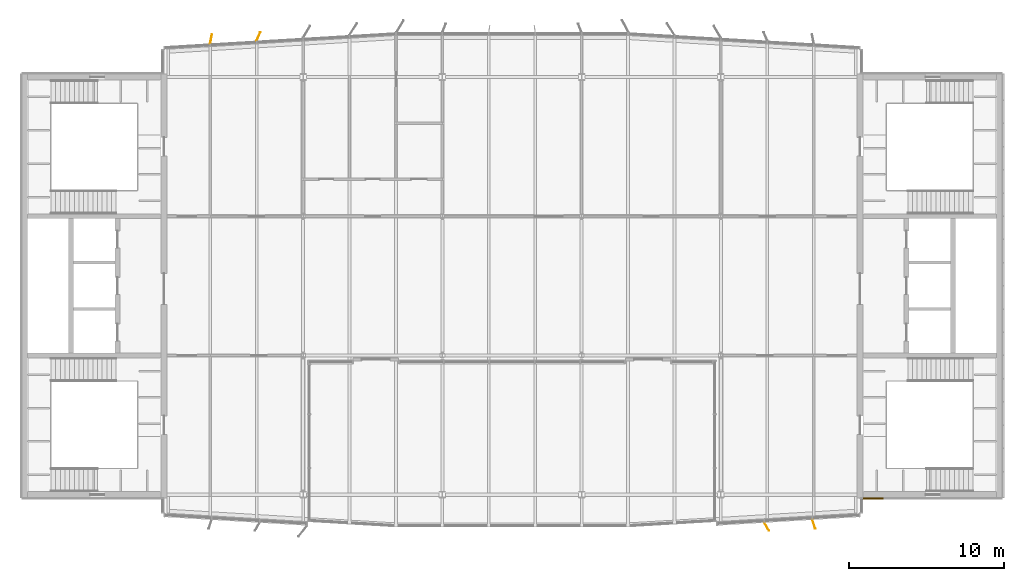
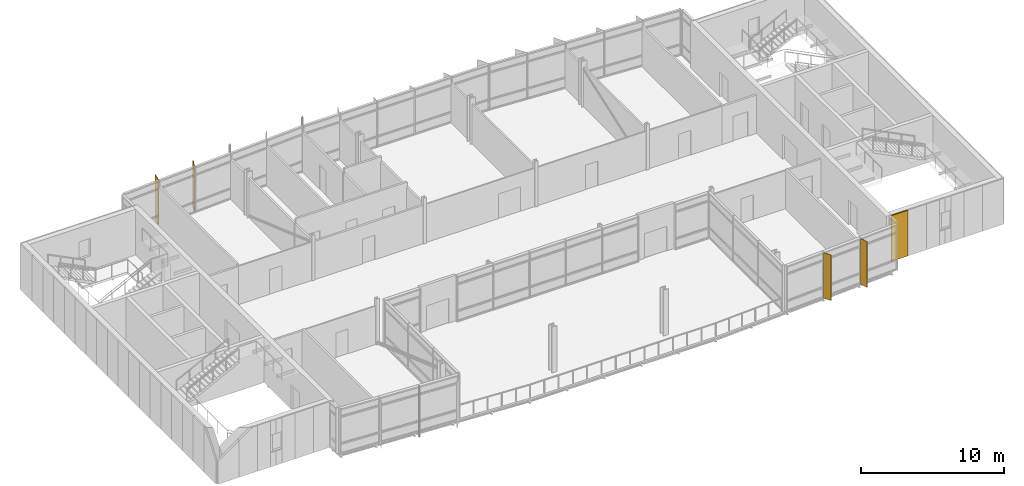
# One storey, part 17 of 19: 4 shading devices, 1 covering.
"""IFC4 building model written with IfcOpenShell, lengths in metres."""

from ifc_helpers import new_model, si_unit, direction, frame, origin, origin_2d, place, context, subcontext, project, spatial, rectangle, extrude, material, layer, layer_set, type_object, element, save


model = new_model("IFC4")

# Units and contexts
model_context = context("Model", 3, precision=1e-05, world=origin(), true_north=direction((0.0, 1.0)))
body_context = subcontext(model_context, "Body", "Model", "MODEL_VIEW")
ifc_project = project(units=[si_unit("LENGTHUNIT", "METRE"), si_unit("AREAUNIT", "SQUARE_METRE"), si_unit("VOLUMEUNIT", "CUBIC_METRE"), si_unit("PLANEANGLEUNIT", "RADIAN"), si_unit("MASSUNIT", "GRAM", prefix="KILO")], contexts=[model_context])

# Site, building, storey
site_placement = place(None, origin())
site = spatial("IfcSite", under=ifc_project, at=site_placement, CompositionType="ELEMENT")
building_placement = place(site_placement, origin())
building = spatial("IfcBuilding", under=site, at=building_placement, Name="Azimuth Sports and Learning Centre", CompositionType="ELEMENT")
storey_placement = place(building_placement, frame((0.0, 0.0, 67.5)))
storey = spatial("IfcBuildingStorey", under=building, at=storey_placement, Name="L15", CompositionType="ELEMENT", Elevation=67.5)

# Covering
ifc_material_1 = material(Name="Cladding panel")
ifc_layer_1 = layer(ifc_material_1, 0.10009765625)
ifc_layer_set_1 = layer_set([ifc_layer_1], Name="Cladding panel")
covering_type = type_object("IfcCoveringType", Name="Cladding panel 100", PredefinedType="CLADDING", material=ifc_layer_set_1)
covering_placement = place(storey_placement, frame((108.840087890625, 89.75, 0.0), z_axis=(0.0, 0.0, 1.0), x_axis=(1.0, 0.0, 0.0)))
element("IfcCovering", 1, at=covering_placement, inside=storey, type_object=covering_type, Name="Cladding panel S-CORE E L15 1", PredefinedType="CLADDING", context=body_context, shape_type="SweptSolid", body=[
    extrude(rectangle(XDim=1.320068359375, YDim=0.10009765625, at=origin_2d()), origin(), (0.0, 0.0, 1.0), 3.89990234375),
])

# Shading devices
ifc_material_2 = material(Name="Aluminium", Category="aluminium")
ifc_layer_2 = layer(ifc_material_2, 0.0400390625)
ifc_layer_set_2 = layer_set([ifc_layer_2], Name="Aluminium")
shading_device_type = type_object("IfcShadingDeviceType", Name="Shading fin 600", PredefinedType="JALOUSIE", material=ifc_layer_set_2)
for number, where, z_axis, x_axis, name in (
    (2, (101.96533203125, 87.92919921875, 0.0), (0.0, 0.0, 1.0), (0.50282122482, -0.864390430228, 0.0), "Shading fin F15-004"),
    (3, (105.007568359375, 88.08935546875, 0.0), (0.0, 0.0, 1.0), (0.310280447308, -0.950645067319, 0.0), "Shading fin F15-005"),
    (4, (69.10791015625, 119.615234375, 0.0), (0.0, 0.0, 1.0), (0.395859673937, 0.918311014064, 0.0), "Shading fin F15-018"),
    (5, (66.047607421875, 119.453857421875, 0.0), (0.0, 0.0, 1.0), (0.19438682666, 0.980924952084, 0.0), "Shading fin F15-019"),
):
    element("IfcShadingDevice", number, at=place(storey_placement, frame(where, z_axis=z_axis, x_axis=x_axis)), inside=storey, type_object=shading_device_type, Name=name, PredefinedType="JALOUSIE", context=body_context, shape_type="SweptSolid", body=[
        extrude(rectangle(XDim=0.60009765625, YDim=0.0400390625, at=origin_2d()), origin(), (0.0, 0.0, 1.0), 3.89990234375),
    ])

save(model, "model.ifc")
